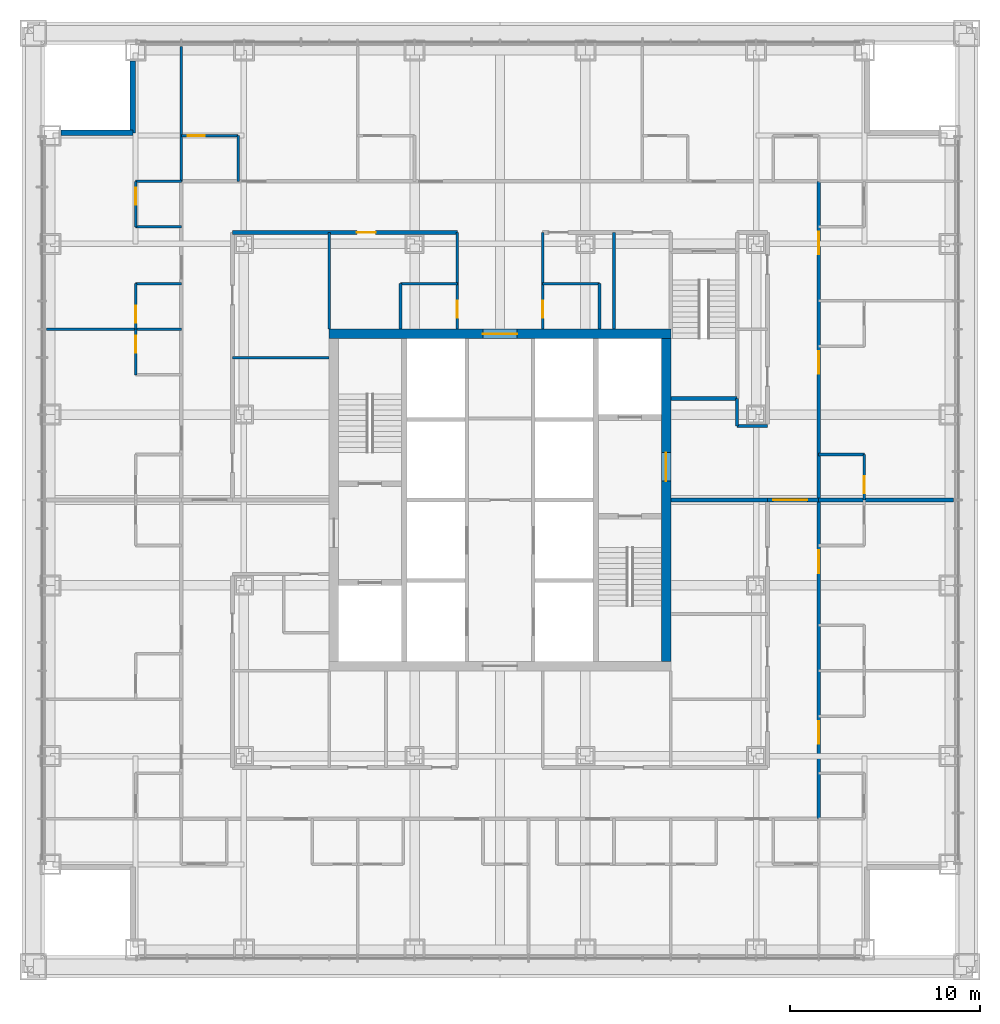
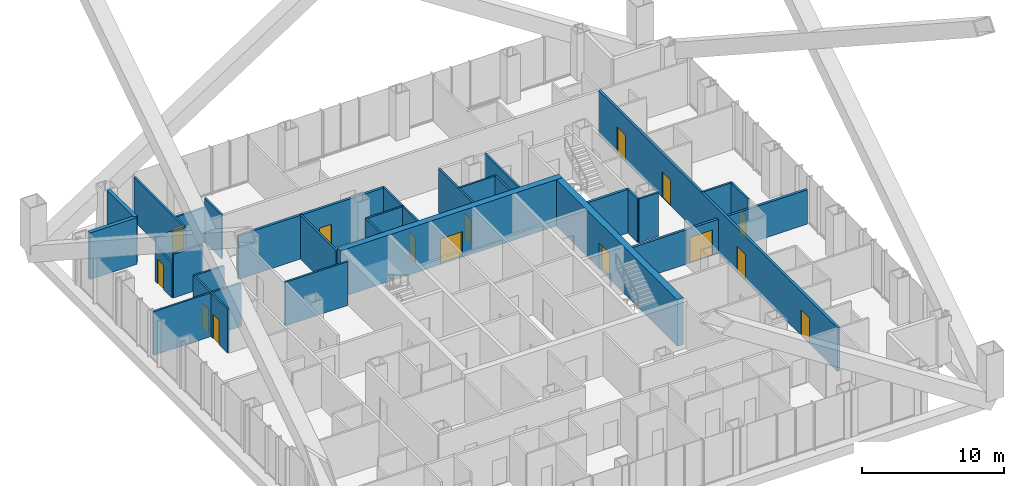
# One storey, part 14 of 21: 33 walls, 15 doors, 15 openings.
"""IFC4 building model written with IfcOpenShell, lengths in metres."""

import ifcopenshell
import ifcopenshell.guid

model = None  # the IFC model being written
_history = None  # IfcOwnerHistory: only IFC2X3 demands one
_inside = {}  # id of a spatial element -> (the spatial element, [elements in it])
_under = {}  # id of a project, library or spatial element -> (it, [spatial elements below it])
_declared = {}  # id of a project -> (the project, [libraries it declares])
_typed = {}  # id of a type object -> (the type object, [elements of that type])
_made_of = {}  # id of a material, layer set ... -> (it, [elements and type objects made of it])


def new_model(schema):
    """Start an empty IFC model of exactly this schema.

    Asked for "IFC4X3", IfcOpenShell would pick the latest addendum, in which some entities
    have other attributes; the version numbers below select the first issue.
    IFC2X3 requires an IfcOwnerHistory on every rooted entity: one is made here for all.
    """
    global model, _history
    if schema == "IFC4X3":
        model = ifcopenshell.file(schema_version=(4, 3, 0, 0))
    else:
        model = ifcopenshell.file(schema=schema)
    _inside.clear()
    _under.clear()
    _declared.clear()
    _typed.clear()
    _made_of.clear()
    _history = None
    if model.schema == "IFC2X3":
        org = make("IfcOrganization", Name="unknown")
        user = make(
            "IfcPersonAndOrganization",
            ThePerson=make("IfcPerson", FamilyName="unknown"),
            TheOrganization=org,
        )
        app = make(
            "IfcApplication",
            ApplicationDeveloper=org,
            Version="unknown",
            ApplicationFullName="unknown",
            ApplicationIdentifier="unknown",
        )
        _history = make(
            "IfcOwnerHistory",
            OwningUser=user,
            OwningApplication=app,
            ChangeAction="ADDED",
            CreationDate=0,
        )
    return model


def make(cls, **values):
    """One entity of the class cls with the attributes given. An attribute that is None is left unset."""
    return model.create_entity(
        cls, **{name: value for name, value in values.items() if value is not None}
    )


def rooted(cls, **values):
    """An entity with a GlobalId (a new one), such as an element, a storey or a relation."""
    return make(cls, GlobalId=ifcopenshell.guid.new(), OwnerHistory=_history, **values)


def si_unit(unit_type, name, prefix=None):
    """IfcSIUnit, for example si_unit("LENGTHUNIT", "METRE", prefix="MILLI")."""
    return make("IfcSIUnit", UnitType=unit_type, Prefix=prefix, Name=name)


def assignment(units):
    """IfcUnitAssignment: the units of a project."""
    return None if units is None else make("IfcUnitAssignment", Units=units)


def point(xyz):
    """IfcCartesianPoint."""
    return None if xyz is None else make("IfcCartesianPoint", Coordinates=xyz)


def direction(xyz):
    """IfcDirection."""
    return None if xyz is None else make("IfcDirection", DirectionRatios=xyz)


def frame(location, z_axis=None, x_axis=None):
    """IfcAxis2Placement3D, a coordinate frame: its origin and axes. An axis left out is left unset."""
    return make(
        "IfcAxis2Placement3D",
        Location=point(location),
        Axis=direction(z_axis),
        RefDirection=direction(x_axis),
    )


def frame_2d(location, x_axis=None):
    """IfcAxis2Placement2D, a coordinate frame in the plane: its origin and x axis."""
    return make(
        "IfcAxis2Placement2D", Location=point(location), RefDirection=direction(x_axis)
    )


def origin():
    """The frame at (0, 0, 0) with its axes left unset."""
    return frame((0.0, 0.0, 0.0))


def place(relative_to, where):
    """IfcLocalPlacement: puts the frame where relative to a parent placement (None: the world)."""
    return make(
        "IfcLocalPlacement", PlacementRelTo=relative_to, RelativePlacement=where
    )


def context(
    kind, dimensions, precision=None, world=None, true_north=None, identifier=None
):
    """IfcGeometricRepresentationContext, for example the 3D "Model" context."""
    return make(
        "IfcGeometricRepresentationContext",
        ContextIdentifier=identifier,
        ContextType=kind,
        CoordinateSpaceDimension=dimensions,
        Precision=precision,
        WorldCoordinateSystem=world,
        TrueNorth=true_north,
    )


def subcontext(parent, identifier, kind, view, scale=None):
    """IfcGeometricRepresentationSubContext, for example "Body" below "Model"."""
    return make(
        "IfcGeometricRepresentationSubContext",
        ContextIdentifier=identifier,
        ContextType=kind,
        ParentContext=parent,
        TargetScale=scale,
        TargetView=view,
    )


def project(units=None, contexts=None):
    """IfcProject with its units and contexts."""
    return rooted(
        "IfcProject",
        Name="project",
        RepresentationContexts=contexts,
        UnitsInContext=assignment(units),
    )


def spatial(cls, under=None, at=None, **own):
    """A site, building, storey or space (cls), placed at a placement, below another one or the project."""
    s = rooted(cls, ObjectPlacement=at, **own)
    if under is not None:
        _under.setdefault(under.id(), (under, []))[1].append(s)
    return s


def profile(cls, at=None, kind="AREA", **sizes):
    """A parametric profile (cls). Its sizes go by their IFC names, for example OverallWidth=200.0."""
    return make(cls, ProfileType=kind, Position=at, **sizes)


def rectangle(**sizes):
    """IfcRectangleProfileDef."""
    return profile("IfcRectangleProfileDef", **sizes)


def extrude(swept, where, along, depth):
    """IfcExtrudedAreaSolid: the profile swept, set in the frame where, extruded along a direction by depth."""
    return make(
        "IfcExtrudedAreaSolid",
        SweptArea=swept,
        Position=where,
        ExtrudedDirection=direction(along),
        Depth=depth,
    )


def shape(context_of_items, identifier, shape_type, items):
    """IfcShapeRepresentation: the items that make up one representation, for example the "Body"."""
    return make(
        "IfcShapeRepresentation",
        ContextOfItems=context_of_items,
        RepresentationIdentifier=identifier,
        RepresentationType=shape_type,
        Items=items,
    )


def material(Name=None, Category=None):
    """IfcMaterial."""
    return make("IfcMaterial", Name=Name, Category=Category)


def layer(
    of_material, thickness, ventilated=None, Name=None, Category=None, Priority=None
):
    """IfcMaterialLayer: one layer of a wall or slab, of a material (None: an air gap)."""
    return make(
        "IfcMaterialLayer",
        Material=of_material,
        LayerThickness=thickness,
        IsVentilated=ventilated,
        Name=Name,
        Category=Category,
        Priority=Priority,
    )


def layer_set(layers, Name=None):
    """IfcMaterialLayerSet."""
    return make("IfcMaterialLayerSet", MaterialLayers=layers, LayerSetName=Name)


def made_of(thing, what):
    """Note that an element or type object is made of a material, layer set ...; save() writes the relation."""
    if what is not None:
        _made_of.setdefault(what.id(), (what, []))[1].append(thing)
    return thing


def type_object(cls, material=None, **own):
    """A type object (cls), such as IfcWallType, which elements share."""
    return made_of(rooted(cls, **own), material)


def element(
    cls,
    number,
    at=None,
    inside=None,
    cuts=None,
    type_object=None,
    material=None,
    context=None,
    identifier="Body",
    shape_type=None,
    held_by="IfcProductDefinitionShape",
    body=None,
    shapes=None,
    **own,
):
    """One element of the class cls, such as IfcWall. Its Tag is "e" and its number.

    at: its placement. inside: the storey or other place that contains it. cuts: it is an
    opening in that element (IfcRelVoidsElement). A single representation is given by context,
    identifier, shape_type and body (its items); several are given by shapes. held_by: the class
    of the entity that holds the representations. save() writes the other relations.
    """
    e = rooted(cls, Tag="e%d" % number, ObjectPlacement=at, **own)
    if body is not None:
        shapes = [shape(context, identifier, shape_type, body)]
    if shapes is not None:
        e.Representation = make(held_by, Representations=shapes)
    if inside is not None:
        _inside.setdefault(inside.id(), (inside, []))[1].append(e)
    if cuts is not None:
        rooted(
            "IfcRelVoidsElement", RelatingBuildingElement=cuts, RelatedOpeningElement=e
        )
    if type_object is not None:
        _typed.setdefault(type_object.id(), (type_object, []))[1].append(e)
    return made_of(e, material)


def fill(opening, filler):
    """IfcRelFillsElement: the door or window that sits in an opening."""
    return rooted(
        "IfcRelFillsElement",
        RelatingOpeningElement=opening,
        RelatedBuildingElement=filler,
    )


def aggregate(whole, parts):
    """IfcRelAggregates: a whole, such as a stair, and the parts it consists of."""
    return rooted("IfcRelAggregates", RelatingObject=whole, RelatedObjects=parts)


def save(model, path):
    """Write the relations noted so far, then the file.

    IfcRelAggregates (storeys below a building ...), IfcRelContainedInSpatialStructure (elements
    in a storey), IfcRelDefinesByType, IfcRelAssociatesMaterial and IfcRelDeclares: one each for
    every whole, place, type object, material and project.
    """
    for whole, parts in _under.values():
        aggregate(whole, parts)
    for where, things in _inside.values():
        rooted(
            "IfcRelContainedInSpatialStructure",
            RelatedElements=things,
            RelatingStructure=where,
        )
    for kind, things in _typed.values():
        rooted("IfcRelDefinesByType", RelatedObjects=things, RelatingType=kind)
    for what, things in _made_of.values():
        rooted("IfcRelAssociatesMaterial", RelatedObjects=things, RelatingMaterial=what)
    for by, libraries in _declared.values():
        rooted("IfcRelDeclares", RelatingContext=by, RelatedDefinitions=libraries)
    model.write(path)


model = new_model("IFC4")

# Units and contexts
model_context = context("Model", 3, precision=1e-05, world=origin(), true_north=direction((0.0, 1.0)))
body_context = subcontext(model_context, "Body", "Model", "MODEL_VIEW")
ifc_project = project(units=[si_unit("LENGTHUNIT", "METRE"), si_unit("AREAUNIT", "SQUARE_METRE"), si_unit("VOLUMEUNIT", "CUBIC_METRE"), si_unit("PLANEANGLEUNIT", "RADIAN"), si_unit("MASSUNIT", "GRAM", prefix="KILO")], contexts=[model_context])

# Site, building, storey
site_placement = place(None, origin())
site = spatial("IfcSite", under=ifc_project, at=site_placement, CompositionType="ELEMENT")
building_placement = place(site_placement, origin())
building = spatial("IfcBuilding", under=site, at=building_placement, Name="Malebo Sky Hospital", CompositionType="ELEMENT")
storey_placement = place(building_placement, frame((0.0, 0.0, 140.0)))
storey = spatial("IfcBuildingStorey", under=building, at=storey_placement, Name="L33", CompositionType="ELEMENT", Elevation=140.0)

# Wall, opening, door
ifc_material_1 = material(Name="Concrete C80/95", Category="concrete")
ifc_layer_1 = layer(ifc_material_1, 0.5)
ifc_layer_set_1 = layer_set([ifc_layer_1], Name="CORE WALL 500")
wall_type_1 = type_object("IfcWallType", Name="CORE WALL 500", PredefinedType="SHEAR", material=ifc_layer_set_1)
wall_1_placement = place(storey_placement, frame((51.0, 70.75, 0.0), z_axis=(0.0, 0.0, 1.0), x_axis=(1.0, 0.0, 0.0)))
wall_1 = element("IfcWall", 1, at=wall_1_placement, inside=storey, type_object=wall_type_1, Name="Core wall N L33", PredefinedType="SHEAR", context=body_context, shape_type="SweptSolid", body=[
    extrude(rectangle(XDim=18.0, YDim=0.5, at=frame_2d((9.0, 0.0))), origin(), (0.0, 0.0, 1.0), 4.0),
])
opening_1_placement = place(wall_1_placement, frame((8.10009765625, 0.0, 0.0)))
opening_1 = element("IfcOpeningElement", 2, at=opening_1_placement, cuts=wall_1, Name="Opening D06", PredefinedType="OPENING", context=body_context, shape_type="SweptSolid", body=[
    extrude(rectangle(XDim=1.800048828125, YDim=2.199951171875, at=frame_2d((0.89990234375, 1.10009765625))), frame((0.0, 0.260009765625, 0.0), z_axis=(0.0, -1.0, 0.0), x_axis=(1.0, 0.0, 0.0)), (0.0, 0.0, 1.0), 0.52001953125),
])
ifc_material_2 = material(Name="Hardwood-faced door leaf in steel frame", Category="steel")
door_type_1 = type_object("IfcDoorType", Name="LOBBY DOOR PAIR 1800", OperationType="DOUBLE_DOOR_SINGLE_SWING", PredefinedType="DOOR", material=ifc_material_2)
door_1_placement = place(opening_1_placement, origin())
door_1 = element("IfcDoor", 3, at=door_1_placement, inside=storey, type_object=door_type_1, Name="ward pantry door north", OperationType="DOUBLE_DOOR_SINGLE_SWING", OverallHeight=2.199951171875, OverallWidth=1.800048828125, PredefinedType="DOOR", context=body_context, shape_type="SweptSolid", body=[
    extrude(rectangle(XDim=1.800048828125, YDim=2.199951171875, at=frame_2d((0.89990234375, 1.10009765625))), frame((0.0, 0.02490234375, 0.0), z_axis=(0.0, -1.0, 0.0), x_axis=(1.0, 0.0, 0.0)), (0.0, 0.0, 1.0), 0.050048828125),
])
fill(opening_1, door_1)

wall_2_placement = place(storey_placement, frame((68.75, 53.5, 0.0), z_axis=(0.0, 0.0, 1.0), x_axis=(0.0, 1.0, 0.0)))
wall_2 = element("IfcWall", 4, at=wall_2_placement, inside=storey, type_object=wall_type_1, Name="Core wall E L33", PredefinedType="SHEAR", context=body_context, shape_type="SweptSolid", body=[
    extrude(rectangle(XDim=17.0, YDim=0.5, at=frame_2d((8.5, 0.0))), origin(), (0.0, 0.0, 1.0), 4.0),
])
opening_2_placement = place(wall_2_placement, frame((9.5, 0.0, 0.0)))
opening_2 = element("IfcOpeningElement", 5, at=opening_2_placement, cuts=wall_2, Name="Opening D07", PredefinedType="OPENING", context=body_context, shape_type="SweptSolid", body=[
    extrude(rectangle(XDim=1.5, YDim=2.199951171875, at=frame_2d((0.75, 1.10009765625))), frame((0.0, 0.260009765625, 0.0), z_axis=(0.0, -1.0, 0.0), x_axis=(1.0, 0.0, 0.0)), (0.0, 0.0, 1.0), 0.52001953125),
])
door_type_2 = type_object("IfcDoorType", Name="FIRE-FIGHTING LOBBY DOOR PAIR 1500", OperationType="DOUBLE_DOOR_SINGLE_SWING", PredefinedType="DOOR", material=ifc_material_2)
door_2_placement = place(opening_2_placement, origin())
door_2 = element("IfcDoor", 6, at=door_2_placement, inside=storey, type_object=door_type_2, Name="Fire-fighting lobby door east", OperationType="DOUBLE_DOOR_SINGLE_SWING", OverallHeight=2.199951171875, OverallWidth=1.5, PredefinedType="DOOR", context=body_context, shape_type="SweptSolid", body=[
    extrude(rectangle(XDim=1.5, YDim=2.199951171875, at=frame_2d((0.75, 1.10009765625))), frame((0.0, 0.02490234375, 0.0), z_axis=(0.0, -1.0, 0.0), x_axis=(1.0, 0.0, 0.0)), (0.0, 0.0, 1.0), 0.050048828125),
])
fill(opening_2, door_2)

ifc_material_3 = material(Name="Gypsum board on steel studs", Category="steel")
ifc_layer_2 = layer(ifc_material_3, 0.199951171875)
ifc_layer_set_2 = layer_set([ifc_layer_2], Name="CORRIDOR WALL 200")
wall_type_2 = type_object("IfcWallType", Name="CORRIDOR WALL 200", PredefinedType="PARTITIONING", material=ifc_layer_set_2)
wall_3_placement = place(storey_placement, frame((45.89990234375, 76.10009765625, 0.0), z_axis=(0.0, 0.0, 1.0), x_axis=(1.0, 0.0, 0.0)))
wall_3 = element("IfcWall", 7, at=wall_3_placement, inside=storey, type_object=wall_type_2, Name="Corridor Wall 200 NCI1", PredefinedType="PARTITIONING", context=body_context, shape_type="SweptSolid", body=[
    extrude(rectangle(XDim=11.85009765625, YDim=0.199951171875, at=frame_2d((5.925048828125, 0.0))), origin(), (0.0, 0.0, 1.0), 3.75),
])
opening_3_placement = place(wall_3_placement, frame((6.550048828125, 0.0, 0.0)))
opening_3 = element("IfcOpeningElement", 8, at=opening_3_placement, cuts=wall_3, Name="Opening D03", PredefinedType="OPENING", context=body_context, shape_type="SweptSolid", body=[
    extrude(rectangle(XDim=1.0, YDim=2.10009765625, at=frame_2d((0.5, 1.050048828125))), frame((0.0, 0.10986328125, 0.0), z_axis=(0.0, -1.0, 0.0), x_axis=(1.0, 0.0, 0.0)), (0.0, 0.0, 1.0), 0.219970703125),
])
door_type_3 = type_object("IfcDoorType", Name="ROOM DOOR 1000", OperationType="SINGLE_SWING_LEFT", PredefinedType="DOOR", material=ifc_material_2)
door_3_placement = place(opening_3_placement, origin())
door_3 = element("IfcDoor", 9, at=door_3_placement, inside=storey, type_object=door_type_3, Name="Dialysis store door", OperationType="SINGLE_SWING_LEFT", OverallHeight=2.10009765625, OverallWidth=1.0, PredefinedType="DOOR", context=body_context, shape_type="SweptSolid", body=[
    extrude(rectangle(XDim=1.0, YDim=2.10009765625, at=frame_2d((0.5, 1.050048828125))), frame((0.0, 0.02490234375, 0.0), z_axis=(0.0, -1.0, 0.0), x_axis=(1.0, 0.0, 0.0)), (0.0, 0.0, 1.0), 0.050048828125),
])
fill(opening_3, door_3)

# Wall, openings, doors
wall_4_placement = place(storey_placement, frame((76.800048828125, 78.800048828125, 0.0), z_axis=(0.0, 0.0, 1.0), x_axis=(0.0, -1.0, 0.0)))
wall_4 = element("IfcWall", 10, at=wall_4_placement, inside=storey, type_object=wall_type_2, Name="Corridor Wall 200 ECO", PredefinedType="PARTITIONING", context=body_context, shape_type="SweptSolid", body=[
    extrude(rectangle(XDim=33.60009765625, YDim=0.199951171875, at=frame_2d((16.800048828125, 0.0))), origin(), (0.0, 0.0, 1.0), 3.75),
])
opening_4_placement = place(wall_4_placement, frame((2.64990234375, 0.0, 0.0)))
opening_4 = element("IfcOpeningElement", 11, at=opening_4_placement, cuts=wall_4, Name="Opening D01", PredefinedType="OPENING", context=body_context, shape_type="SweptSolid", body=[
    extrude(rectangle(XDim=1.199951171875, YDim=2.199951171875, at=frame_2d((0.60009765625, 1.10009765625))), frame((0.0, 0.10986328125, 0.0), z_axis=(0.0, -1.0, 0.0), x_axis=(1.0, 0.0, 0.0)), (0.0, 0.0, 1.0), 0.219970703125),
])
opening_5_placement = place(wall_4_placement, frame((8.949951171875, 0.0, 0.0)))
opening_5 = element("IfcOpeningElement", 12, at=opening_5_placement, cuts=wall_4, Name="Opening D01", PredefinedType="OPENING", context=body_context, shape_type="SweptSolid", body=[
    extrude(rectangle(XDim=1.199951171875, YDim=2.199951171875, at=frame_2d((0.60009765625, 1.10009765625))), frame((0.0, 0.10986328125, 0.0), z_axis=(0.0, -1.0, 0.0), x_axis=(1.0, 0.0, 0.0)), (0.0, 0.0, 1.0), 0.219970703125),
])
opening_6_placement = place(wall_4_placement, frame((19.449951171875, 0.0, 0.0)))
opening_6 = element("IfcOpeningElement", 13, at=opening_6_placement, cuts=wall_4, Name="Opening D01", PredefinedType="OPENING", context=body_context, shape_type="SweptSolid", body=[
    extrude(rectangle(XDim=1.199951171875, YDim=2.199951171875, at=frame_2d((0.60009765625, 1.10009765625))), frame((0.0, 0.10986328125, 0.0), z_axis=(0.0, -1.0, 0.0), x_axis=(1.0, 0.0, 0.0)), (0.0, 0.0, 1.0), 0.219970703125),
])
opening_7_placement = place(wall_4_placement, frame((28.449951171875, 0.0, 0.0)))
opening_7 = element("IfcOpeningElement", 14, at=opening_7_placement, cuts=wall_4, Name="Opening D01", PredefinedType="OPENING", context=body_context, shape_type="SweptSolid", body=[
    extrude(rectangle(XDim=1.199951171875, YDim=2.199951171875, at=frame_2d((0.60009765625, 1.10009765625))), frame((0.0, 0.10986328125, 0.0), z_axis=(0.0, -1.0, 0.0), x_axis=(1.0, 0.0, 0.0)), (0.0, 0.0, 1.0), 0.219970703125),
])
door_type_4 = type_object("IfcDoorType", Name="BED DOOR 1200", OperationType="SINGLE_SWING_LEFT", PredefinedType="DOOR", material=ifc_material_2)
door_4_placement = place(opening_4_placement, origin())
door_4 = element("IfcDoor", 15, at=door_4_placement, inside=storey, type_object=door_type_4, Name="Single bed room door", OperationType="SINGLE_SWING_LEFT", OverallHeight=2.199951171875, OverallWidth=1.199951171875, PredefinedType="DOOR", context=body_context, shape_type="SweptSolid", body=[
    extrude(rectangle(XDim=1.199951171875, YDim=2.199951171875, at=frame_2d((0.60009765625, 1.10009765625))), frame((0.0, 0.02490234375, 0.0), z_axis=(0.0, -1.0, 0.0), x_axis=(1.0, 0.0, 0.0)), (0.0, 0.0, 1.0), 0.050048828125),
])
fill(opening_4, door_4)
door_5_placement = place(opening_5_placement, origin())
door_5 = element("IfcDoor", 16, at=door_5_placement, inside=storey, type_object=door_type_4, Name="Four-bed bay door", OperationType="SINGLE_SWING_LEFT", OverallHeight=2.199951171875, OverallWidth=1.199951171875, PredefinedType="DOOR", context=body_context, shape_type="SweptSolid", body=[
    extrude(rectangle(XDim=1.199951171875, YDim=2.199951171875, at=frame_2d((0.60009765625, 1.10009765625))), frame((0.0, 0.02490234375, 0.0), z_axis=(0.0, -1.0, 0.0), x_axis=(1.0, 0.0, 0.0)), (0.0, 0.0, 1.0), 0.050048828125),
])
fill(opening_5, door_5)
door_6_placement = place(opening_6_placement, origin())
door_6 = element("IfcDoor", 17, at=door_6_placement, inside=storey, type_object=door_type_4, Name="Four-bed bay door", OperationType="SINGLE_SWING_LEFT", OverallHeight=2.199951171875, OverallWidth=1.199951171875, PredefinedType="DOOR", context=body_context, shape_type="SweptSolid", body=[
    extrude(rectangle(XDim=1.199951171875, YDim=2.199951171875, at=frame_2d((0.60009765625, 1.10009765625))), frame((0.0, 0.02490234375, 0.0), z_axis=(0.0, -1.0, 0.0), x_axis=(1.0, 0.0, 0.0)), (0.0, 0.0, 1.0), 0.050048828125),
])
fill(opening_6, door_6)
door_7_placement = place(opening_7_placement, origin())
door_7 = element("IfcDoor", 18, at=door_7_placement, inside=storey, type_object=door_type_4, Name="Four-bed bay door", OperationType="SINGLE_SWING_LEFT", OverallHeight=2.199951171875, OverallWidth=1.199951171875, PredefinedType="DOOR", context=body_context, shape_type="SweptSolid", body=[
    extrude(rectangle(XDim=1.199951171875, YDim=2.199951171875, at=frame_2d((0.60009765625, 1.10009765625))), frame((0.0, 0.02490234375, 0.0), z_axis=(0.0, -1.0, 0.0), x_axis=(1.0, 0.0, 0.0)), (0.0, 0.0, 1.0), 0.050048828125),
])
fill(opening_7, door_7)

# Walls
ifc_material_4 = material(Name="Anodised aluminium rainscreen on steel framing", Category="steel")
ifc_layer_3 = layer(ifc_material_4, 0.300048828125)
ifc_layer_set_3 = layer_set([ifc_layer_3], Name="NOTCH RAINSCREEN WALL 300")
wall_type_3 = type_object("IfcWallType", Name="NOTCH RAINSCREEN WALL 300", PredefinedType="ELEMENTEDWALL", material=ifc_layer_set_3)
for number, where, z_axis, x_axis, name in (
    (19, (36.85009765625, 81.35009765625, 0.0), (0.0, 0.0, 1.0), (1.0, 0.0, 0.0), "Notch rainscreen wall W1 L33"),
    (20, (40.64990234375, 81.35009765625, 0.0), (0.0, 0.0, 1.0), (0.0, 1.0, 0.0), "Notch rainscreen wall W2 L33"),
):
    element("IfcWall", number, at=place(storey_placement, frame(where, z_axis=z_axis, x_axis=x_axis)), inside=storey, type_object=wall_type_3, Name=name, PredefinedType="ELEMENTEDWALL", context=body_context, shape_type="SweptSolid", body=[
        extrude(rectangle(XDim=3.7998046875, YDim=0.300048828125, at=frame_2d((1.89990234375, 0.0))), origin(), (0.0, 0.0, 1.0), 4.0),
    ])
ifc_layer_4 = layer(ifc_material_3, 0.14990234375)
ifc_layer_set_4 = layer_set([ifc_layer_4], Name="PARTITION 150")
wall_type_4 = type_object("IfcWallType", Name="PARTITION 150", PredefinedType="PARTITIONING", material=ifc_layer_set_4)
wall_5_placement = place(storey_placement, frame((43.199951171875, 78.800048828125, 0.0), z_axis=(0.0, 0.0, 1.0), x_axis=(0.0, 1.0, 0.0)))
element("IfcWall", 21, at=wall_5_placement, inside=storey, type_object=wall_type_4, Name="Partition 150 NP0", PredefinedType="PARTITIONING", context=body_context, shape_type="SweptSolid", body=[
    extrude(rectangle(XDim=7.10986328125, YDim=0.14990234375, at=frame_2d((3.554931640625, 0.0))), origin(), (0.0, 0.0, 1.0), 3.75),
])

# Wall, opening, door
wall_6_placement = place(storey_placement, frame((43.199951171875, 81.199951171875, 0.0), z_axis=(0.0, 0.0, 1.0), x_axis=(1.0, 0.0, 0.0)))
wall_6 = element("IfcWall", 22, at=wall_6_placement, inside=storey, type_object=wall_type_4, Name="Partition 150 NE0F", PredefinedType="PARTITIONING", context=body_context, shape_type="SweptSolid", body=[
    extrude(rectangle(XDim=3.0, YDim=0.14990234375, at=frame_2d((1.5, 0.0))), origin(), (0.0, 0.0, 1.0), 2.9970703125),
])
opening_8_placement = place(wall_6_placement, frame((0.35009765625, 0.0, 0.0)))
opening_8 = element("IfcOpeningElement", 23, at=opening_8_placement, cuts=wall_6, Name="Opening D02", PredefinedType="OPENING", context=body_context, shape_type="SweptSolid", body=[
    extrude(rectangle(XDim=0.89990234375, YDim=2.10009765625, at=frame_2d((0.449951171875, 1.050048828125))), frame((0.0, 0.0849609375, 0.0), z_axis=(0.0, -1.0, 0.0), x_axis=(1.0, 0.0, 0.0)), (0.0, 0.0, 1.0), 0.169921875),
])
door_type_5 = type_object("IfcDoorType", Name="EN-SUITE DOOR 900", OperationType="SINGLE_SWING_LEFT", PredefinedType="DOOR", material=ifc_material_2)
door_8_placement = place(opening_8_placement, origin())
door_8 = element("IfcDoor", 24, at=door_8_placement, inside=storey, type_object=door_type_5, Name="Patient WC door", OperationType="SINGLE_SWING_LEFT", OverallHeight=2.10009765625, OverallWidth=0.89990234375, PredefinedType="DOOR", context=body_context, shape_type="SweptSolid", body=[
    extrude(rectangle(XDim=0.89990234375, YDim=2.10009765625, at=frame_2d((0.449951171875, 1.050048828125))), frame((0.0, 0.02490234375, 0.0), z_axis=(0.0, -1.0, 0.0), x_axis=(1.0, 0.0, 0.0)), (0.0, 0.0, 1.0), 0.050048828125),
])
fill(opening_8, door_8)

# Walls
wall_7_placement = place(storey_placement, frame((46.199951171875, 78.800048828125, 0.0), z_axis=(0.0, 0.0, 1.0), x_axis=(0.0, 1.0, 0.0)))
element("IfcWall", 25, at=wall_7_placement, inside=storey, type_object=wall_type_4, Name="Partition 150 NE0S", PredefinedType="PARTITIONING", context=body_context, shape_type="SweptSolid", body=[
    extrude(rectangle(XDim=2.39990234375, YDim=0.14990234375, at=frame_2d((1.199951171875, 0.0))), origin(), (0.0, 0.0, 1.0), 3.75),
])
wall_8_placement = place(storey_placement, frame((51.0, 71.0, 0.0), z_axis=(0.0, 0.0, 1.0), x_axis=(0.0, 1.0, 0.0)))
element("IfcWall", 26, at=wall_8_placement, inside=storey, type_object=wall_type_4, Name="Partition 150 NSP0", PredefinedType="PARTITIONING", context=body_context, shape_type="SweptSolid", body=[
    extrude(rectangle(XDim=5.10009765625, YDim=0.14990234375, at=frame_2d((2.550048828125, 0.0))), origin(), (0.0, 0.0, 1.0), 3.75),
])

# Wall, opening, door
wall_9_placement = place(storey_placement, frame((57.75, 71.0, 0.0), z_axis=(0.0, 0.0, 1.0), x_axis=(0.0, 1.0, 0.0)))
wall_9 = element("IfcWall", 27, at=wall_9_placement, inside=storey, type_object=wall_type_4, Name="Partition 150 NSPA", PredefinedType="PARTITIONING", context=body_context, shape_type="SweptSolid", body=[
    extrude(rectangle(XDim=5.10009765625, YDim=0.14990234375, at=frame_2d((2.550048828125, 0.0))), origin(), (0.0, 0.0, 1.0), 3.75),
])
opening_9_placement = place(wall_9_placement, frame((0.60009765625, 0.0, 0.0)))
opening_9 = element("IfcOpeningElement", 28, at=opening_9_placement, cuts=wall_9, Name="Opening D04", PredefinedType="OPENING", context=body_context, shape_type="SweptSolid", body=[
    extrude(rectangle(XDim=0.89990234375, YDim=2.10009765625, at=frame_2d((0.449951171875, 1.050048828125))), frame((0.0, 0.0849609375, 0.0), z_axis=(0.0, -1.0, 0.0), x_axis=(1.0, 0.0, 0.0)), (0.0, 0.0, 1.0), 0.169921875),
])
door_type_6 = type_object("IfcDoorType", Name="ROOM DOOR 900", OperationType="SINGLE_SWING_LEFT", PredefinedType="DOOR", material=ifc_material_2)
door_9_placement = place(opening_9_placement, origin())
door_9 = element("IfcDoor", 29, at=door_9_placement, inside=storey, type_object=door_type_6, Name="Staff WC door", OperationType="SINGLE_SWING_LEFT", OverallHeight=2.10009765625, OverallWidth=0.89990234375, PredefinedType="DOOR", context=body_context, shape_type="SweptSolid", body=[
    extrude(rectangle(XDim=0.89990234375, YDim=2.10009765625, at=frame_2d((0.449951171875, 1.050048828125))), frame((0.0, 0.02490234375, 0.0), z_axis=(0.0, -1.0, 0.0), x_axis=(1.0, 0.0, 0.0)), (0.0, 0.0, 1.0), 0.050048828125),
])
fill(opening_9, door_9)

wall_10_placement = place(storey_placement, frame((62.25, 71.0, 0.0), z_axis=(0.0, 0.0, 1.0), x_axis=(0.0, 1.0, 0.0)))
wall_10 = element("IfcWall", 30, at=wall_10_placement, inside=storey, type_object=wall_type_4, Name="Partition 150 NSPB", PredefinedType="PARTITIONING", context=body_context, shape_type="SweptSolid", body=[
    extrude(rectangle(XDim=5.10009765625, YDim=0.14990234375, at=frame_2d((2.550048828125, 0.0))), origin(), (0.0, 0.0, 1.0), 3.75),
])
opening_10_placement = place(wall_10_placement, frame((0.60009765625, 0.0, 0.0)))
opening_10 = element("IfcOpeningElement", 31, at=opening_10_placement, cuts=wall_10, Name="Opening D04", PredefinedType="OPENING", context=body_context, shape_type="SweptSolid", body=[
    extrude(rectangle(XDim=0.89990234375, YDim=2.10009765625, at=frame_2d((0.449951171875, 1.050048828125))), frame((0.0, 0.0849609375, 0.0), z_axis=(0.0, -1.0, 0.0), x_axis=(1.0, 0.0, 0.0)), (0.0, 0.0, 1.0), 0.169921875),
])
door_10_placement = place(opening_10_placement, origin())
door_10 = element("IfcDoor", 32, at=door_10_placement, inside=storey, type_object=door_type_6, Name="Accessible WC door", OperationType="SINGLE_SWING_LEFT", OverallHeight=2.10009765625, OverallWidth=0.89990234375, PredefinedType="DOOR", context=body_context, shape_type="SweptSolid", body=[
    extrude(rectangle(XDim=0.89990234375, YDim=2.10009765625, at=frame_2d((0.449951171875, 1.050048828125))), frame((0.0, 0.02490234375, 0.0), z_axis=(0.0, -1.0, 0.0), x_axis=(1.0, 0.0, 0.0)), (0.0, 0.0, 1.0), 0.050048828125),
])
fill(opening_10, door_10)

# Walls
wall_11_placement = place(storey_placement, frame((66.0, 71.0, 0.0), z_axis=(0.0, 0.0, 1.0), x_axis=(0.0, 1.0, 0.0)))
element("IfcWall", 33, at=wall_11_placement, inside=storey, type_object=wall_type_4, Name="Partition 150 NSP+6.0", PredefinedType="PARTITIONING", context=body_context, shape_type="SweptSolid", body=[
    extrude(rectangle(XDim=5.10009765625, YDim=0.14990234375, at=frame_2d((2.550048828125, 0.0))), origin(), (0.0, 0.0, 1.0), 3.75),
])
wall_12_placement = place(storey_placement, frame((54.75, 73.39990234375, 0.0), z_axis=(0.0, 0.0, 1.0), x_axis=(1.0, 0.0, 0.0)))
element("IfcWall", 34, at=wall_12_placement, inside=storey, type_object=wall_type_4, Name="Partition 150 NSX0", PredefinedType="PARTITIONING", context=body_context, shape_type="SweptSolid", body=[
    extrude(rectangle(XDim=3.0, YDim=0.14990234375, at=frame_2d((1.5, 0.0))), origin(), (0.0, 0.0, 1.0), 3.75),
])
wall_13_placement = place(storey_placement, frame((54.75, 71.0, 0.0), z_axis=(0.0, 0.0, 1.0), x_axis=(0.0, 1.0, 0.0)))
element("IfcWall", 35, at=wall_13_placement, inside=storey, type_object=wall_type_4, Name="Partition 150 NSY0", PredefinedType="PARTITIONING", context=body_context, shape_type="SweptSolid", body=[
    extrude(rectangle(XDim=2.39990234375, YDim=0.14990234375, at=frame_2d((1.199951171875, 0.0))), origin(), (0.0, 0.0, 1.0), 3.75),
])
wall_14_placement = place(storey_placement, frame((62.25, 73.39990234375, 0.0), z_axis=(0.0, 0.0, 1.0), x_axis=(1.0, 0.0, 0.0)))
element("IfcWall", 36, at=wall_14_placement, inside=storey, type_object=wall_type_4, Name="Partition 150 NSX1", PredefinedType="PARTITIONING", context=body_context, shape_type="SweptSolid", body=[
    extrude(rectangle(XDim=3.0, YDim=0.14990234375, at=frame_2d((1.5, 0.0))), origin(), (0.0, 0.0, 1.0), 3.75),
])
wall_15_placement = place(storey_placement, frame((65.25, 71.0, 0.0), z_axis=(0.0, 0.0, 1.0), x_axis=(0.0, 1.0, 0.0)))
element("IfcWall", 37, at=wall_15_placement, inside=storey, type_object=wall_type_4, Name="Partition 150 NSY1", PredefinedType="PARTITIONING", context=body_context, shape_type="SweptSolid", body=[
    extrude(rectangle(XDim=2.39990234375, YDim=0.14990234375, at=frame_2d((1.199951171875, 0.0))), origin(), (0.0, 0.0, 1.0), 3.75),
])
wall_16_placement = place(storey_placement, frame((43.199951171875, 71.0, 0.0), z_axis=(0.0, 0.0, 1.0), x_axis=(-1.0, 0.0, 0.0)))
element("IfcWall", 38, at=wall_16_placement, inside=storey, type_object=wall_type_4, Name="Partition 150 WP+9.0", PredefinedType="PARTITIONING", context=body_context, shape_type="SweptSolid", body=[
    extrude(rectangle(XDim=7.10986328125, YDim=0.14990234375, at=frame_2d((3.554931640625, 0.0))), origin(), (0.0, 0.0, 1.0), 3.75),
])

# Wall, opening, door
wall_17_placement = place(storey_placement, frame((40.800048828125, 68.60009765625, 0.0), z_axis=(0.0, 0.0, 1.0), x_axis=(0.0, 1.0, 0.0)))
wall_17 = element("IfcWall", 39, at=wall_17_placement, inside=storey, type_object=wall_type_4, Name="Partition 150 WG2F", PredefinedType="PARTITIONING", context=body_context, shape_type="SweptSolid", body=[
    extrude(rectangle(XDim=2.39990234375, YDim=0.14990234375, at=frame_2d((1.199951171875, 0.0))), origin(), (0.0, 0.0, 1.0), 3.75),
])
opening_11_placement = place(wall_17_placement, frame((1.14990234375, 0.0, 0.0)))
opening_11 = element("IfcOpeningElement", 40, at=opening_11_placement, cuts=wall_17, Name="Opening D02", PredefinedType="OPENING", context=body_context, shape_type="SweptSolid", body=[
    extrude(rectangle(XDim=0.89990234375, YDim=2.10009765625, at=frame_2d((0.449951171875, 1.050048828125))), frame((0.0, 0.0849609375, 0.0), z_axis=(0.0, -1.0, 0.0), x_axis=(1.0, 0.0, 0.0)), (0.0, 0.0, 1.0), 0.169921875),
])
door_11_placement = place(opening_11_placement, origin())
door_11 = element("IfcDoor", 41, at=door_11_placement, inside=storey, type_object=door_type_5, Name="En-suite door", OperationType="SINGLE_SWING_RIGHT", OverallHeight=2.10009765625, OverallWidth=0.89990234375, PredefinedType="DOOR", context=body_context, shape_type="SweptSolid", body=[
    extrude(rectangle(XDim=0.89990234375, YDim=2.10009765625, at=frame_2d((0.449951171875, 1.050048828125))), frame((0.0, 0.02490234375, 0.0), z_axis=(0.0, -1.0, 0.0), x_axis=(1.0, 0.0, 0.0)), (0.0, 0.0, 1.0), 0.050048828125),
])
fill(opening_11, door_11)

wall_18_placement = place(storey_placement, frame((40.800048828125, 71.0, 0.0), z_axis=(0.0, 0.0, 1.0), x_axis=(0.0, 1.0, 0.0)))
wall_18 = element("IfcWall", 42, at=wall_18_placement, inside=storey, type_object=wall_type_4, Name="Partition 150 WE3F", PredefinedType="PARTITIONING", context=body_context, shape_type="SweptSolid", body=[
    extrude(rectangle(XDim=2.39990234375, YDim=0.14990234375, at=frame_2d((1.199951171875, 0.0))), origin(), (0.0, 0.0, 1.0), 3.75),
])
opening_12_placement = place(wall_18_placement, frame((0.35009765625, 0.0, 0.0)))
opening_12 = element("IfcOpeningElement", 43, at=opening_12_placement, cuts=wall_18, Name="Opening D02", PredefinedType="OPENING", context=body_context, shape_type="SweptSolid", body=[
    extrude(rectangle(XDim=0.89990234375, YDim=2.10009765625, at=frame_2d((0.449951171875, 1.050048828125))), frame((0.0, 0.0849609375, 0.0), z_axis=(0.0, -1.0, 0.0), x_axis=(1.0, 0.0, 0.0)), (0.0, 0.0, 1.0), 0.169921875),
])
door_12_placement = place(opening_12_placement, origin())
door_12 = element("IfcDoor", 44, at=door_12_placement, inside=storey, type_object=door_type_5, Name="En-suite door", OperationType="SINGLE_SWING_LEFT", OverallHeight=2.10009765625, OverallWidth=0.89990234375, PredefinedType="DOOR", context=body_context, shape_type="SweptSolid", body=[
    extrude(rectangle(XDim=0.89990234375, YDim=2.10009765625, at=frame_2d((0.449951171875, 1.050048828125))), frame((0.0, 0.02490234375, 0.0), z_axis=(0.0, -1.0, 0.0), x_axis=(1.0, 0.0, 0.0)), (0.0, 0.0, 1.0), 0.050048828125),
])
fill(opening_12, door_12)

# Wall
wall_19_placement = place(storey_placement, frame((43.199951171875, 73.39990234375, 0.0), z_axis=(0.0, 0.0, 1.0), x_axis=(-1.0, 0.0, 0.0)))
element("IfcWall", 45, at=wall_19_placement, inside=storey, type_object=wall_type_4, Name="Partition 150 WE3S", PredefinedType="PARTITIONING", context=body_context, shape_type="SweptSolid", body=[
    extrude(rectangle(XDim=2.39990234375, YDim=0.14990234375, at=frame_2d((1.199951171875, 0.0))), origin(), (0.0, 0.0, 1.0), 3.75),
])

# Wall, opening, door
wall_20_placement = place(storey_placement, frame((40.800048828125, 76.39990234375, 0.0), z_axis=(0.0, 0.0, 1.0), x_axis=(0.0, 1.0, 0.0)))
wall_20 = element("IfcWall", 46, at=wall_20_placement, inside=storey, type_object=wall_type_4, Name="Partition 150 WG3F", PredefinedType="PARTITIONING", context=body_context, shape_type="SweptSolid", body=[
    extrude(rectangle(XDim=2.400146484375, YDim=0.14990234375, at=frame_2d((1.2001953125, 0.0))), origin(), (0.0, 0.0, 1.0), 2.9970703125),
])
opening_13_placement = place(wall_20_placement, frame((1.14990234375, 0.0, 0.0)))
opening_13 = element("IfcOpeningElement", 47, at=opening_13_placement, cuts=wall_20, Name="Opening D02", PredefinedType="OPENING", context=body_context, shape_type="SweptSolid", body=[
    extrude(rectangle(XDim=0.89990234375, YDim=2.10009765625, at=frame_2d((0.449951171875, 1.050048828125))), frame((0.0, 0.0849609375, 0.0), z_axis=(0.0, -1.0, 0.0), x_axis=(1.0, 0.0, 0.0)), (0.0, 0.0, 1.0), 0.169921875),
])
door_13_placement = place(opening_13_placement, origin())
door_13 = element("IfcDoor", 48, at=door_13_placement, inside=storey, type_object=door_type_5, Name="En-suite door", OperationType="SINGLE_SWING_RIGHT", OverallHeight=2.10009765625, OverallWidth=0.89990234375, PredefinedType="DOOR", context=body_context, shape_type="SweptSolid", body=[
    extrude(rectangle(XDim=0.89990234375, YDim=2.10009765625, at=frame_2d((0.449951171875, 1.050048828125))), frame((0.0, 0.02490234375, 0.0), z_axis=(0.0, -1.0, 0.0), x_axis=(1.0, 0.0, 0.0)), (0.0, 0.0, 1.0), 0.050048828125),
])
fill(opening_13, door_13)

# Walls
for number, where, z_axis, x_axis, name in (
    (49, (43.199951171875, 76.39990234375, 0.0), (0.0, 0.0, 1.0), (-1.0, 0.0, 0.0), "Partition 150 WG3S"),
    (50, (43.199951171875, 78.800048828125, 0.0), (0.0, 0.0, 1.0), (-1.0, 0.0, 0.0), "Partition 150 WEZ"),
):
    element("IfcWall", number, at=place(storey_placement, frame(where, z_axis=z_axis, x_axis=x_axis)), inside=storey, type_object=wall_type_4, Name=name, PredefinedType="PARTITIONING", context=body_context, shape_type="SweptSolid", body=[
        extrude(rectangle(XDim=2.39990234375, YDim=0.14990234375, at=frame_2d((1.199951171875, 0.0))), origin(), (0.0, 0.0, 1.0), 3.75),
    ])
wall_21_placement = place(storey_placement, frame((51.0, 69.5, 0.0), z_axis=(0.0, 0.0, 1.0), x_axis=(-1.0, 0.0, 0.0)))
element("IfcWall", 51, at=wall_21_placement, inside=storey, type_object=wall_type_4, Name="Partition 150 WSP+7.5", PredefinedType="PARTITIONING", context=body_context, shape_type="SweptSolid", body=[
    extrude(rectangle(XDim=5.10009765625, YDim=0.14990234375, at=frame_2d((2.550048828125, 0.0))), origin(), (0.0, 0.0, 1.0), 3.75),
])

# Wall, opening, door
wall_22_placement = place(storey_placement, frame((79.199951171875, 64.39990234375, 0.0), z_axis=(0.0, 0.0, 1.0), x_axis=(0.0, -1.0, 0.0)))
wall_22 = element("IfcWall", 52, at=wall_22_placement, inside=storey, type_object=wall_type_4, Name="Partition 150 EG1F", PredefinedType="PARTITIONING", context=body_context, shape_type="SweptSolid", body=[
    extrude(rectangle(XDim=2.39990234375, YDim=0.14990234375, at=frame_2d((1.199951171875, 0.0))), origin(), (0.0, 0.0, 1.0), 3.75),
])
opening_14_placement = place(wall_22_placement, frame((1.14990234375, 0.0, 0.0)))
opening_14 = element("IfcOpeningElement", 53, at=opening_14_placement, cuts=wall_22, Name="Opening D02", PredefinedType="OPENING", context=body_context, shape_type="SweptSolid", body=[
    extrude(rectangle(XDim=0.89990234375, YDim=2.10009765625, at=frame_2d((0.449951171875, 1.050048828125))), frame((0.0, 0.0849609375, 0.0), z_axis=(0.0, -1.0, 0.0), x_axis=(1.0, 0.0, 0.0)), (0.0, 0.0, 1.0), 0.169921875),
])
door_14_placement = place(opening_14_placement, origin())
door_14 = element("IfcDoor", 54, at=door_14_placement, inside=storey, type_object=door_type_5, Name="En-suite door", OperationType="SINGLE_SWING_RIGHT", OverallHeight=2.10009765625, OverallWidth=0.89990234375, PredefinedType="DOOR", context=body_context, shape_type="SweptSolid", body=[
    extrude(rectangle(XDim=0.89990234375, YDim=2.10009765625, at=frame_2d((0.449951171875, 1.050048828125))), frame((0.0, 0.02490234375, 0.0), z_axis=(0.0, -1.0, 0.0), x_axis=(1.0, 0.0, 0.0)), (0.0, 0.0, 1.0), 0.050048828125),
])
fill(opening_14, door_14)

# Walls
wall_23_placement = place(storey_placement, frame((76.800048828125, 64.39990234375, 0.0), z_axis=(0.0, 0.0, 1.0), x_axis=(1.0, 0.0, 0.0)))
element("IfcWall", 55, at=wall_23_placement, inside=storey, type_object=wall_type_4, Name="Partition 150 EG1S", PredefinedType="PARTITIONING", context=body_context, shape_type="SweptSolid", body=[
    extrude(rectangle(XDim=2.39990234375, YDim=0.14990234375, at=frame_2d((1.199951171875, 0.0))), origin(), (0.0, 0.0, 1.0), 3.75),
])
wall_24_placement = place(storey_placement, frame((72.5, 65.89990234375, 0.0), z_axis=(0.0, 0.0, 1.0), x_axis=(1.0, 0.0, 0.0)))
element("IfcWall", 56, at=wall_24_placement, inside=storey, type_object=wall_type_4, Name="Partition 150 ESPA", PredefinedType="PARTITIONING", context=body_context, shape_type="SweptSolid", body=[
    extrude(rectangle(XDim=1.60009765625, YDim=0.14990234375, at=frame_2d((0.800048828125, 0.0))), origin(), (0.0, 0.0, 1.0), 3.75),
])
wall_25_placement = place(storey_placement, frame((72.5, 65.89990234375, 0.0), z_axis=(0.0, 0.0, 1.0), x_axis=(0.0, 1.0, 0.0)))
element("IfcWall", 57, at=wall_25_placement, inside=storey, type_object=wall_type_4, Name="Partition 150 ST3C", PredefinedType="PARTITIONING", context=body_context, shape_type="SweptSolid", body=[
    extrude(rectangle(XDim=1.4501953125, YDim=0.14990234375, at=frame_2d((0.72509765625, 0.0))), origin(), (0.0, 0.0, 1.0), 3.75),
])
ifc_material_5 = material(Name="Concrete blockwork", Category="masonry")
ifc_layer_5 = layer(ifc_material_5, 0.199951171875)
ifc_layer_set_5 = layer_set([ifc_layer_5], Name="SMOKE BARRIER WALL 200")
wall_type_5 = type_object("IfcWallType", Name="SMOKE BARRIER WALL 200", PredefinedType="SOLIDWALL", material=ifc_layer_set_5)
wall_26_placement = place(storey_placement, frame((76.800048828125, 62.0, 0.0), z_axis=(0.0, 0.0, 1.0), x_axis=(1.0, 0.0, 0.0)))
element("IfcWall", 58, at=wall_26_placement, inside=storey, type_object=wall_type_5, Name="Smoke Barrier Wall 200 EP+0.0", PredefinedType="SOLIDWALL", context=body_context, shape_type="SweptSolid", body=[
    extrude(rectangle(XDim=7.10986328125, YDim=0.199951171875, at=frame_2d((3.554931640625, 0.0))), origin(), (0.0, 0.0, 1.0), 2.949951171875),
])
wall_27_placement = place(storey_placement, frame((69.0, 62.0, 0.0), z_axis=(0.0, 0.0, 1.0), x_axis=(1.0, 0.0, 0.0)))
element("IfcWall", 59, at=wall_27_placement, inside=storey, type_object=wall_type_5, Name="Smoke Barrier Wall 200 ESPB", PredefinedType="SOLIDWALL", context=body_context, shape_type="SweptSolid", body=[
    extrude(rectangle(XDim=5.10009765625, YDim=0.199951171875, at=frame_2d((2.550048828125, 0.0))), origin(), (0.0, 0.0, 1.0), 2.949951171875),
])

# Wall, opening, door
wall_28_placement = place(storey_placement, frame((74.10009765625, 62.0, 0.0), z_axis=(0.0, 0.0, 1.0), x_axis=(1.0, 0.0, 0.0)))
wall_28 = element("IfcWall", 60, at=wall_28_placement, inside=storey, type_object=wall_type_5, Name="Smoke Barrier Wall 200 ESB", PredefinedType="SOLIDWALL", context=body_context, shape_type="SweptSolid", body=[
    extrude(rectangle(XDim=2.699951171875, YDim=0.199951171875, at=frame_2d((1.35009765625, 0.0))), origin(), (0.0, 0.0, 1.0), 2.949951171875),
])
opening_15_placement = place(wall_28_placement, frame((0.300048828125, 0.0, 0.0)))
opening_15 = element("IfcOpeningElement", 61, at=opening_15_placement, cuts=wall_28, Name="Opening D05", PredefinedType="OPENING", context=body_context, shape_type="SweptSolid", body=[
    extrude(rectangle(XDim=1.800048828125, YDim=2.199951171875, at=frame_2d((0.89990234375, 1.10009765625))), frame((0.0, 0.10986328125, 0.0), z_axis=(0.0, -1.0, 0.0), x_axis=(1.0, 0.0, 0.0)), (0.0, 0.0, 1.0), 0.219970703125),
])
door_type_7 = type_object("IfcDoorType", Name="SMOKE DOOR PAIR 1800", OperationType="DOUBLE_DOOR_DOUBLE_SWING", PredefinedType="DOOR", material=ifc_material_2)
door_15_placement = place(opening_15_placement, origin())
door_15 = element("IfcDoor", 62, at=door_15_placement, inside=storey, type_object=door_type_7, Name="Smoke compartment door pair", OperationType="DOUBLE_DOOR_DOUBLE_SWING", OverallHeight=2.199951171875, OverallWidth=1.800048828125, PredefinedType="DOOR", context=body_context, shape_type="SweptSolid", body=[
    extrude(rectangle(XDim=1.800048828125, YDim=2.199951171875, at=frame_2d((0.89990234375, 1.10009765625))), frame((0.0, 0.02490234375, 0.0), z_axis=(0.0, -1.0, 0.0), x_axis=(1.0, 0.0, 0.0)), (0.0, 0.0, 1.0), 0.050048828125),
])
fill(opening_15, door_15)

# Wall
ifc_material_6 = material(Name="Concrete C40/50", Category="concrete")
ifc_layer_6 = layer(ifc_material_6, 0.199951171875)
ifc_layer_set_6 = layer_set([ifc_layer_6], Name="STAIR ENCLOSURE WALL 200")
wall_type_6 = type_object("IfcWallType", Name="STAIR ENCLOSURE WALL 200", PredefinedType="SOLIDWALL", material=ifc_layer_set_6)
wall_29_placement = place(storey_placement, frame((69.0, 67.35009765625, 0.0), z_axis=(0.0, 0.0, 1.0), x_axis=(1.0, 0.0, 0.0)))
element("IfcWall", 63, at=wall_29_placement, inside=storey, type_object=wall_type_6, Name="Stair Enclosure Wall 200 ST3S", PredefinedType="SOLIDWALL", context=body_context, shape_type="SweptSolid", body=[
    extrude(rectangle(XDim=3.5, YDim=0.199951171875, at=frame_2d((1.75, 0.0))), origin(), (0.0, 0.0, 1.0), 3.75),
])

save(model, "model.ifc")
